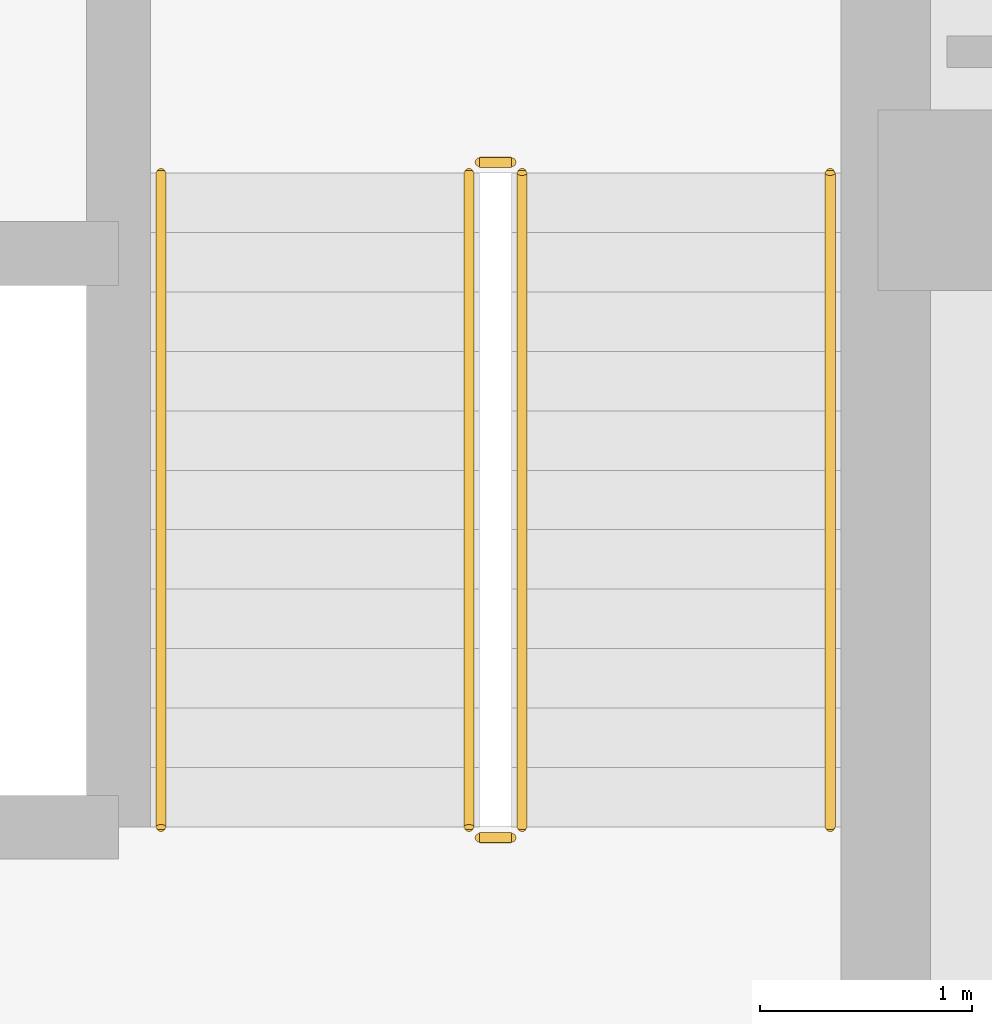
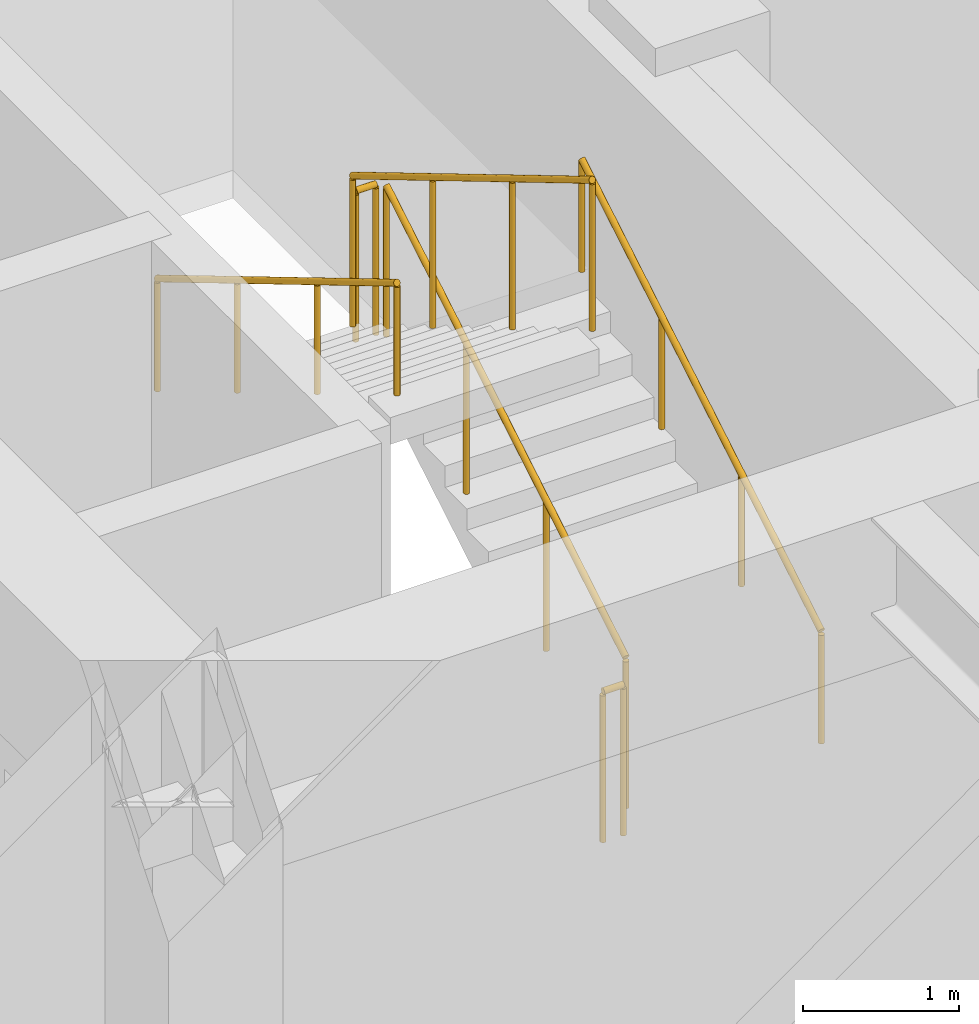
# One storey, part 25 of 28: 6 railings.
"""IFC4 building model written with IfcOpenShell, lengths in metres."""

from ifc_helpers import new_model, si_unit, direction, frame, origin, origin_2d, place, context, subcontext, project, spatial, circle, extrude, source, transform, mapped, material, type_object, element, save


model = new_model("IFC4")

# Units and contexts
model_context = context("Model", 3, precision=1e-05, world=origin(), true_north=direction((0.0, 1.0)))
body_context = subcontext(model_context, "Body", "Model", "MODEL_VIEW")
ifc_project = project(units=[si_unit("LENGTHUNIT", "METRE"), si_unit("AREAUNIT", "SQUARE_METRE"), si_unit("VOLUMEUNIT", "CUBIC_METRE"), si_unit("PLANEANGLEUNIT", "RADIAN"), si_unit("MASSUNIT", "GRAM", prefix="KILO")], contexts=[model_context])

# Site, building, storey
site_placement = place(None, origin())
site = spatial("IfcSite", under=ifc_project, at=site_placement, CompositionType="ELEMENT")
building_placement = place(site_placement, origin())
building = spatial("IfcBuilding", under=site, at=building_placement, Name="Khorayat Bourse Tower", CompositionType="ELEMENT")
storey_placement = place(building_placement, frame((0.0, 0.0, 187.10009765625)))
storey = spatial("IfcBuildingStorey", under=building, at=storey_placement, Name="L43", CompositionType="ELEMENT", Elevation=187.10009765625)

# Railings
ifc_material_1 = material(Name="Powder-coated steel balustrade", Category="steel")
railing_type_1 = type_object("IfcRailingType", Name="RLG-GUARD-1200", PredefinedType="GUARDRAIL", material=ifc_material_1)
shared_shape_1 = source(origin(), body_context, "Body", "SweptSolid", [
    extrude(circle(Radius=0.02392578125, at=origin_2d()), frame((0.0, 0.0, 1.17578125), z_axis=(-1.0, 0.0, 0.0), x_axis=(0.0, -1.0, 0.0)), (0.0, 0.0, 1.0), 0.150146484375),
    extrude(circle(Radius=0.02099609375, at=origin_2d()), origin(), (0.0, 0.0, 1.0), 1.15185546875),
    extrude(circle(Radius=0.02099609375, at=origin_2d()), frame((-0.150146484375, 0.0, 0.0)), (0.0, 0.0, 1.0), 1.15185546875),
])
for number, where, name in (
    (1, (-6.64990234375, -5.820068359375, 2.0), "L43 ST-1 stair guard 2"),
    (2, (-6.64990234375, -9.0, 0.0), "L43 ST-1 stair guard 4"),
):
    element("IfcRailing", number, at=place(storey_placement, frame(where)), inside=storey, type_object=railing_type_1, Name=name, PredefinedType="GUARDRAIL", context=body_context, shape_type="MappedRepresentation", body=[
        mapped(shared_shape_1, transform((0.0, 0.0, 0.0), scale=1.0)),
    ])
shared_shape_2 = source(origin(), body_context, "Body", "SweptSolid", [
    extrude(circle(Radius=0.02392578125, at=origin_2d()), frame((0.0, 0.0, 1.17578125), z_axis=(0.0, 0.859260807169, 0.511537745687), x_axis=(-1.0, 0.0, 0.0)), (0.0, 0.0, 1.0), 3.584228515625),
    extrude(circle(Radius=0.02099609375, at=origin_2d()), origin(), (0.0, 0.0, 1.0), 1.15185546875),
    extrude(circle(Radius=0.02099609375, at=origin_2d()), frame((0.0, 1.026611328125, 0.611083984375)), (0.0, 0.0, 1.0), 1.15185546875),
    extrude(circle(Radius=0.02099609375, at=origin_2d()), frame((0.0, 2.05322265625, 1.222412109375)), (0.0, 0.0, 1.0), 1.15185546875),
    extrude(circle(Radius=0.02099609375, at=origin_2d()), frame((0.0, 3.079833984375, 1.83349609375)), (0.0, 0.0, 1.0), 1.15185546875),
])
railing_1_placement = place(storey_placement, frame((-6.60009765625, -8.949951171875, 0.16650390625)))
element("IfcRailing", 3, at=railing_1_placement, inside=storey, type_object=railing_type_1, Name="L43 ST-1 stair guard 1", PredefinedType="GUARDRAIL", context=body_context, shape_type="MappedRepresentation", body=[
    mapped(shared_shape_2, transform((0.0, 0.0, 0.0), scale=1.0)),
])
shared_shape_3 = source(origin(), body_context, "Body", "SweptSolid", [
    extrude(circle(Radius=0.02392578125, at=origin_2d()), frame((0.0, 0.0, 1.17578125), z_axis=(0.0, -0.859260807169, 0.511537745687), x_axis=(1.0, 0.0, 0.0)), (0.0, 0.0, 1.0), 3.584228515625),
    extrude(circle(Radius=0.02099609375, at=origin_2d()), origin(), (0.0, 0.0, 1.0), 1.15185546875),
    extrude(circle(Radius=0.02099609375, at=origin_2d()), frame((0.0, -1.026611328125, 0.611083984375)), (0.0, 0.0, 1.0), 1.15185546875),
    extrude(circle(Radius=0.02099609375, at=origin_2d()), frame((0.0, -2.05322265625, 1.222412109375)), (0.0, 0.0, 1.0), 1.15185546875),
    extrude(circle(Radius=0.02099609375, at=origin_2d()), frame((0.0, -3.079833984375, 1.83349609375)), (0.0, 0.0, 1.0), 1.15185546875),
])
railing_2_placement = place(storey_placement, frame((-6.85009765625, -5.8701171875, 2.16650390625)))
element("IfcRailing", 4, at=railing_2_placement, inside=storey, type_object=railing_type_1, Name="L43 ST-1 stair guard 3", PredefinedType="GUARDRAIL", context=body_context, shape_type="MappedRepresentation", body=[
    mapped(shared_shape_3, transform((0.0, 0.0, 0.0), scale=1.0)),
])
ifc_material_2 = material(Name="Brushed bronze stainless-steel handrail", Category="steel")
railing_type_2 = type_object("IfcRailingType", Name="RLG-HAND-900", PredefinedType="HANDRAIL", material=ifc_material_2)
shared_shape_4 = source(origin(), body_context, "Body", "SweptSolid", [
    extrude(circle(Radius=0.02392578125, at=origin_2d()), frame((0.0, 0.0, 0.8759765625), z_axis=(0.0, 0.859260807169, 0.511537745687), x_axis=(-1.0, 0.0, 0.0)), (0.0, 0.0, 1.0), 3.584228515625),
    extrude(circle(Radius=0.02099609375, at=origin_2d()), origin(), (0.0, 0.0, 1.0), 0.851806640625),
    extrude(circle(Radius=0.02099609375, at=origin_2d()), frame((0.0, 1.026611328125, 0.611083984375)), (0.0, 0.0, 1.0), 0.851806640625),
    extrude(circle(Radius=0.02099609375, at=origin_2d()), frame((0.0, 2.05322265625, 1.222412109375)), (0.0, 0.0, 1.0), 0.851806640625),
    extrude(circle(Radius=0.02099609375, at=origin_2d()), frame((0.0, 3.079833984375, 1.83349609375)), (0.0, 0.0, 1.0), 0.851806640625),
])
railing_3_placement = place(storey_placement, frame((-5.14990234375, -8.949951171875, 0.16650390625)))
element("IfcRailing", 5, at=railing_3_placement, inside=storey, type_object=railing_type_2, Name="L43 ST-1 stair handrail 1", PredefinedType="HANDRAIL", context=body_context, shape_type="MappedRepresentation", body=[
    mapped(shared_shape_4, transform((0.0, 0.0, 0.0), scale=1.0)),
])
shared_shape_5 = source(origin(), body_context, "Body", "SweptSolid", [
    extrude(circle(Radius=0.02392578125, at=origin_2d()), frame((0.0, 0.0, 0.8759765625), z_axis=(0.0, -0.859260807169, 0.511537745687), x_axis=(1.0, 0.0, 0.0)), (0.0, 0.0, 1.0), 3.584228515625),
    extrude(circle(Radius=0.02099609375, at=origin_2d()), origin(), (0.0, 0.0, 1.0), 0.851806640625),
    extrude(circle(Radius=0.02099609375, at=origin_2d()), frame((0.0, -1.026611328125, 0.611083984375)), (0.0, 0.0, 1.0), 0.851806640625),
    extrude(circle(Radius=0.02099609375, at=origin_2d()), frame((0.0, -2.05322265625, 1.222412109375)), (0.0, 0.0, 1.0), 0.851806640625),
    extrude(circle(Radius=0.02099609375, at=origin_2d()), frame((0.0, -3.079833984375, 1.83349609375)), (0.0, 0.0, 1.0), 0.851806640625),
])
railing_4_placement = place(storey_placement, frame((-8.300048828125, -5.8701171875, 2.16650390625)))
element("IfcRailing", 6, at=railing_4_placement, inside=storey, type_object=railing_type_2, Name="L43 ST-1 stair handrail 2", PredefinedType="HANDRAIL", context=body_context, shape_type="MappedRepresentation", body=[
    mapped(shared_shape_5, transform((0.0, 0.0, 0.0), scale=1.0)),
])

save(model, "model.ifc")
